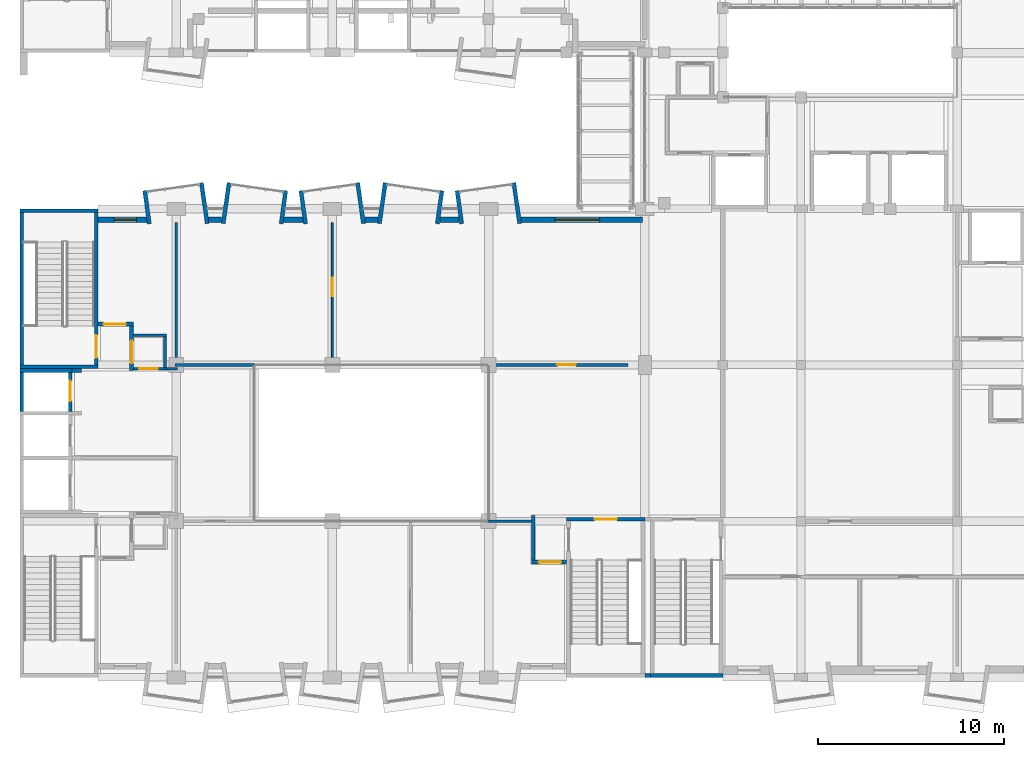
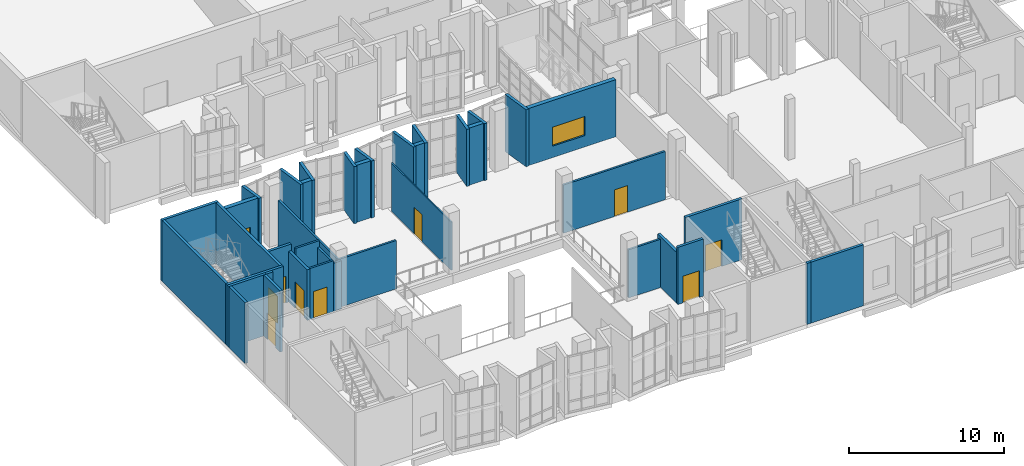
# One storey, part 42 of 86: 40 walls, 9 doors, 2 windows, 11 openings.
"""IFC4 building model written with IfcOpenShell, lengths in metres."""

import ifcopenshell
import ifcopenshell.guid

model = None  # the IFC model being written
_history = None  # IfcOwnerHistory: only IFC2X3 demands one
_inside = {}  # id of a spatial element -> (the spatial element, [elements in it])
_under = {}  # id of a project, library or spatial element -> (it, [spatial elements below it])
_declared = {}  # id of a project -> (the project, [libraries it declares])
_typed = {}  # id of a type object -> (the type object, [elements of that type])
_made_of = {}  # id of a material, layer set ... -> (it, [elements and type objects made of it])


def new_model(schema):
    """Start an empty IFC model of exactly this schema.

    Asked for "IFC4X3", IfcOpenShell would pick the latest addendum, in which some entities
    have other attributes; the version numbers below select the first issue.
    IFC2X3 requires an IfcOwnerHistory on every rooted entity: one is made here for all.
    """
    global model, _history
    if schema == "IFC4X3":
        model = ifcopenshell.file(schema_version=(4, 3, 0, 0))
    else:
        model = ifcopenshell.file(schema=schema)
    _inside.clear()
    _under.clear()
    _declared.clear()
    _typed.clear()
    _made_of.clear()
    _history = None
    if model.schema == "IFC2X3":
        org = make("IfcOrganization", Name="unknown")
        user = make(
            "IfcPersonAndOrganization",
            ThePerson=make("IfcPerson", FamilyName="unknown"),
            TheOrganization=org,
        )
        app = make(
            "IfcApplication",
            ApplicationDeveloper=org,
            Version="unknown",
            ApplicationFullName="unknown",
            ApplicationIdentifier="unknown",
        )
        _history = make(
            "IfcOwnerHistory",
            OwningUser=user,
            OwningApplication=app,
            ChangeAction="ADDED",
            CreationDate=0,
        )
    return model


def make(cls, **values):
    """One entity of the class cls with the attributes given. An attribute that is None is left unset."""
    return model.create_entity(
        cls, **{name: value for name, value in values.items() if value is not None}
    )


def rooted(cls, **values):
    """An entity with a GlobalId (a new one), such as an element, a storey or a relation."""
    return make(cls, GlobalId=ifcopenshell.guid.new(), OwnerHistory=_history, **values)


def si_unit(unit_type, name, prefix=None):
    """IfcSIUnit, for example si_unit("LENGTHUNIT", "METRE", prefix="MILLI")."""
    return make("IfcSIUnit", UnitType=unit_type, Prefix=prefix, Name=name)


def assignment(units):
    """IfcUnitAssignment: the units of a project."""
    return None if units is None else make("IfcUnitAssignment", Units=units)


def point(xyz):
    """IfcCartesianPoint."""
    return None if xyz is None else make("IfcCartesianPoint", Coordinates=xyz)


def direction(xyz):
    """IfcDirection."""
    return None if xyz is None else make("IfcDirection", DirectionRatios=xyz)


def frame(location, z_axis=None, x_axis=None):
    """IfcAxis2Placement3D, a coordinate frame: its origin and axes. An axis left out is left unset."""
    return make(
        "IfcAxis2Placement3D",
        Location=point(location),
        Axis=direction(z_axis),
        RefDirection=direction(x_axis),
    )


def frame_2d(location, x_axis=None):
    """IfcAxis2Placement2D, a coordinate frame in the plane: its origin and x axis."""
    return make(
        "IfcAxis2Placement2D", Location=point(location), RefDirection=direction(x_axis)
    )


def origin():
    """The frame at (0, 0, 0) with its axes left unset."""
    return frame((0.0, 0.0, 0.0))


def place(relative_to, where):
    """IfcLocalPlacement: puts the frame where relative to a parent placement (None: the world)."""
    return make(
        "IfcLocalPlacement", PlacementRelTo=relative_to, RelativePlacement=where
    )


def context(
    kind, dimensions, precision=None, world=None, true_north=None, identifier=None
):
    """IfcGeometricRepresentationContext, for example the 3D "Model" context."""
    return make(
        "IfcGeometricRepresentationContext",
        ContextIdentifier=identifier,
        ContextType=kind,
        CoordinateSpaceDimension=dimensions,
        Precision=precision,
        WorldCoordinateSystem=world,
        TrueNorth=true_north,
    )


def subcontext(parent, identifier, kind, view, scale=None):
    """IfcGeometricRepresentationSubContext, for example "Body" below "Model"."""
    return make(
        "IfcGeometricRepresentationSubContext",
        ContextIdentifier=identifier,
        ContextType=kind,
        ParentContext=parent,
        TargetScale=scale,
        TargetView=view,
    )


def project(units=None, contexts=None):
    """IfcProject with its units and contexts."""
    return rooted(
        "IfcProject",
        Name="project",
        RepresentationContexts=contexts,
        UnitsInContext=assignment(units),
    )


def spatial(cls, under=None, at=None, **own):
    """A site, building, storey or space (cls), placed at a placement, below another one or the project."""
    s = rooted(cls, ObjectPlacement=at, **own)
    if under is not None:
        _under.setdefault(under.id(), (under, []))[1].append(s)
    return s


def profile(cls, at=None, kind="AREA", **sizes):
    """A parametric profile (cls). Its sizes go by their IFC names, for example OverallWidth=200.0."""
    return make(cls, ProfileType=kind, Position=at, **sizes)


def rectangle(**sizes):
    """IfcRectangleProfileDef."""
    return profile("IfcRectangleProfileDef", **sizes)


def extrude(swept, where, along, depth):
    """IfcExtrudedAreaSolid: the profile swept, set in the frame where, extruded along a direction by depth."""
    return make(
        "IfcExtrudedAreaSolid",
        SweptArea=swept,
        Position=where,
        ExtrudedDirection=direction(along),
        Depth=depth,
    )


def shape(context_of_items, identifier, shape_type, items):
    """IfcShapeRepresentation: the items that make up one representation, for example the "Body"."""
    return make(
        "IfcShapeRepresentation",
        ContextOfItems=context_of_items,
        RepresentationIdentifier=identifier,
        RepresentationType=shape_type,
        Items=items,
    )


def material(Name=None, Category=None):
    """IfcMaterial."""
    return make("IfcMaterial", Name=Name, Category=Category)


def layer(
    of_material, thickness, ventilated=None, Name=None, Category=None, Priority=None
):
    """IfcMaterialLayer: one layer of a wall or slab, of a material (None: an air gap)."""
    return make(
        "IfcMaterialLayer",
        Material=of_material,
        LayerThickness=thickness,
        IsVentilated=ventilated,
        Name=Name,
        Category=Category,
        Priority=Priority,
    )


def layer_set(layers, Name=None):
    """IfcMaterialLayerSet."""
    return make("IfcMaterialLayerSet", MaterialLayers=layers, LayerSetName=Name)


def made_of(thing, what):
    """Note that an element or type object is made of a material, layer set ...; save() writes the relation."""
    if what is not None:
        _made_of.setdefault(what.id(), (what, []))[1].append(thing)
    return thing


def type_object(cls, material=None, **own):
    """A type object (cls), such as IfcWallType, which elements share."""
    return made_of(rooted(cls, **own), material)


def element(
    cls,
    number,
    at=None,
    inside=None,
    cuts=None,
    type_object=None,
    material=None,
    context=None,
    identifier="Body",
    shape_type=None,
    held_by="IfcProductDefinitionShape",
    body=None,
    shapes=None,
    **own,
):
    """One element of the class cls, such as IfcWall. Its Tag is "e" and its number.

    at: its placement. inside: the storey or other place that contains it. cuts: it is an
    opening in that element (IfcRelVoidsElement). A single representation is given by context,
    identifier, shape_type and body (its items); several are given by shapes. held_by: the class
    of the entity that holds the representations. save() writes the other relations.
    """
    e = rooted(cls, Tag="e%d" % number, ObjectPlacement=at, **own)
    if body is not None:
        shapes = [shape(context, identifier, shape_type, body)]
    if shapes is not None:
        e.Representation = make(held_by, Representations=shapes)
    if inside is not None:
        _inside.setdefault(inside.id(), (inside, []))[1].append(e)
    if cuts is not None:
        rooted(
            "IfcRelVoidsElement", RelatingBuildingElement=cuts, RelatedOpeningElement=e
        )
    if type_object is not None:
        _typed.setdefault(type_object.id(), (type_object, []))[1].append(e)
    return made_of(e, material)


def fill(opening, filler):
    """IfcRelFillsElement: the door or window that sits in an opening."""
    return rooted(
        "IfcRelFillsElement",
        RelatingOpeningElement=opening,
        RelatedBuildingElement=filler,
    )


def aggregate(whole, parts):
    """IfcRelAggregates: a whole, such as a stair, and the parts it consists of."""
    return rooted("IfcRelAggregates", RelatingObject=whole, RelatedObjects=parts)


def save(model, path):
    """Write the relations noted so far, then the file.

    IfcRelAggregates (storeys below a building ...), IfcRelContainedInSpatialStructure (elements
    in a storey), IfcRelDefinesByType, IfcRelAssociatesMaterial and IfcRelDeclares: one each for
    every whole, place, type object, material and project.
    """
    for whole, parts in _under.values():
        aggregate(whole, parts)
    for where, things in _inside.values():
        rooted(
            "IfcRelContainedInSpatialStructure",
            RelatedElements=things,
            RelatingStructure=where,
        )
    for kind, things in _typed.values():
        rooted("IfcRelDefinesByType", RelatedObjects=things, RelatingType=kind)
    for what, things in _made_of.values():
        rooted("IfcRelAssociatesMaterial", RelatedObjects=things, RelatingMaterial=what)
    for by, libraries in _declared.values():
        rooted("IfcRelDeclares", RelatingContext=by, RelatedDefinitions=libraries)
    model.write(path)


model = new_model("IFC4")

# Units and contexts
model_context = context("Model", 3, precision=1e-05, world=origin(), true_north=direction((0.0, 1.0)))
body_context = subcontext(model_context, "Body", "Model", "MODEL_VIEW")
ifc_project = project(units=[si_unit("LENGTHUNIT", "METRE"), si_unit("AREAUNIT", "SQUARE_METRE"), si_unit("VOLUMEUNIT", "CUBIC_METRE"), si_unit("PLANEANGLEUNIT", "RADIAN"), si_unit("MASSUNIT", "GRAM", prefix="KILO")], contexts=[model_context])

# Site, building, storey
site_placement = place(None, origin())
site = spatial("IfcSite", under=ifc_project, at=site_placement, CompositionType="ELEMENT")
building_placement = place(site_placement, origin())
building = spatial("IfcBuilding", under=site, at=building_placement, Name="Kiln Court Media Centre", CompositionType="ELEMENT")
storey_placement = place(building_placement, frame((0.0, 0.0, 10.199951171875)))
storey = spatial("IfcBuildingStorey", under=building, at=storey_placement, Name="L02", CompositionType="ELEMENT", Elevation=10.199951171875)

# Walls
ifc_material_1 = material(Name="Concrete block masonry M10", Category="masonry")
ifc_layer_1 = layer(ifc_material_1, 0.14990234375)
ifc_layer_set_1 = layer_set([ifc_layer_1], Name="Block riser wall 150 EI 120")
wall_type_1 = type_object("IfcWallType", Name="Block riser wall 150 EI 120", PredefinedType="SOLIDWALL", material=ifc_layer_set_1)
wall_1_placement = place(storey_placement, frame((7.875, 16.60009765625, 0.0), z_axis=(0.0, 0.0, 1.0), x_axis=(1.0, 0.0, 0.0)))
element("IfcWall", 1, at=wall_1_placement, inside=storey, type_object=wall_type_1, Name="L02 block riser wall", PredefinedType="SOLIDWALL", context=body_context, shape_type="SweptSolid", body=[
    extrude(rectangle(XDim=0.60009765625, YDim=0.14990234375, at=frame_2d((0.300048828125, 0.0))), origin(), (0.0, 0.0, 1.0), 3.800048828125),
])
wall_2_placement = place(storey_placement, frame((6.10009765625, 18.39990234375, 0.0), z_axis=(0.0, 0.0, 1.0), x_axis=(1.0, 0.0, 0.0)))
element("IfcWall", 2, at=wall_2_placement, inside=storey, type_object=wall_type_1, Name="L02 block riser wall", PredefinedType="SOLIDWALL", context=body_context, shape_type="SweptSolid", body=[
    extrude(rectangle(XDim=1.77490234375, YDim=0.14990234375, at=frame_2d((0.887451171875, 0.0))), origin(), (0.0, 0.0, 1.0), 4.5),
])
wall_3_placement = place(storey_placement, frame((7.800048828125, 16.675048828125, 0.0), z_axis=(0.0, 0.0, 1.0), x_axis=(0.0, 1.0, 0.0)))
element("IfcWall", 3, at=wall_3_placement, inside=storey, type_object=wall_type_1, Name="L02 block riser wall", PredefinedType="SOLIDWALL", context=body_context, shape_type="SweptSolid", body=[
    extrude(rectangle(XDim=1.64990234375, YDim=0.14990234375, at=frame_2d((0.824951171875, 0.0))), origin(), (0.0, 0.0, 1.0), 4.0),
])
wall_4_placement = place(storey_placement, frame((8.39990234375, 16.875, 0.0), z_axis=(0.0, 0.0, 1.0), x_axis=(0.0, 1.0, 0.0)))
element("IfcWall", 4, at=wall_4_placement, inside=storey, type_object=wall_type_1, Name="L02 block riser wall", PredefinedType="SOLIDWALL", context=body_context, shape_type="SweptSolid", body=[
    extrude(rectangle(XDim=7.574951171875, YDim=0.14990234375, at=frame_2d((3.78759765625, 0.0))), origin(), (0.0, 0.0, 1.0), 3.800048828125),
])

# Wall, opening, door
ifc_material_2 = material(Name="Concrete block masonry M10", Category="masonry")
ifc_layer_2 = layer(ifc_material_2, 0.199951171875)
ifc_layer_set_2 = layer_set([ifc_layer_2], Name="Block vestibule wall 200 EI 240")
wall_type_2 = type_object("IfcWallType", Name="Block vestibule wall 200 EI 240", PredefinedType="SOLIDWALL", material=ifc_layer_set_2)
wall_5_placement = place(storey_placement, frame((27.5, 6.199951171875, 0.0), z_axis=(0.0, 0.0, 1.0), x_axis=(1.0, 0.0, 0.0)))
wall_5 = element("IfcWall", 5, at=wall_5_placement, inside=storey, type_object=wall_type_2, Name="L02 block vestibule wall", PredefinedType="SOLIDWALL", context=body_context, shape_type="SweptSolid", body=[
    extrude(rectangle(XDim=1.89990234375, YDim=0.199951171875, at=frame_2d((0.949951171875, 0.0))), origin(), (0.0, 0.0, 1.0), 4.5),
])
opening_1_placement = place(wall_5_placement, frame((0.39990234375, 0.0, 0.0)))
opening_1 = element("IfcOpeningElement", 6, at=opening_1_placement, cuts=wall_5, Name="Opening D2041", PredefinedType="OPENING", context=body_context, shape_type="SweptSolid", body=[
    extrude(rectangle(XDim=1.199951171875, YDim=2.10009765625, at=frame_2d((0.60009765625, 1.050048828125))), frame((0.0, 0.10986328125, 0.0), z_axis=(0.0, -1.0, 0.0), x_axis=(1.0, 0.0, 0.0)), (0.0, 0.0, 1.0), 0.219970703125),
])
ifc_material_3 = material(Name="Steel S275", Category="steel")
door_type_1 = type_object("IfcDoorType", Name="Steel vestibule door 1200 x 2100 FD180", OperationType="SINGLE_SWING_LEFT", PredefinedType="DOOR", material=ifc_material_3)
door_1_placement = place(opening_1_placement, origin())
door_1 = element("IfcDoor", 7, at=door_1_placement, inside=storey, type_object=door_type_1, Name="Reading Room 2 / Stair 3 Vestibule", OperationType="SINGLE_SWING_RIGHT", OverallHeight=2.10009765625, OverallWidth=1.199951171875, PredefinedType="DOOR", context=body_context, shape_type="SweptSolid", body=[
    extrude(rectangle(XDim=1.199951171875, YDim=2.10009765625, at=frame_2d((0.60009765625, 1.050048828125))), frame((0.0, 0.02490234375, 0.0), z_axis=(0.0, -1.0, 0.0), x_axis=(1.0, 0.0, 0.0)), (0.0, 0.0, 1.0), 0.050048828125),
])
fill(opening_1, door_1)

wall_6_placement = place(storey_placement, frame((4.2001953125, 19.0, 0.0), z_axis=(0.0, 0.0, 1.0), x_axis=(1.0, 0.0, 0.0)))
wall_6 = element("IfcWall", 8, at=wall_6_placement, inside=storey, type_object=wall_type_2, Name="L02 block vestibule wall", PredefinedType="SOLIDWALL", context=body_context, shape_type="SweptSolid", body=[
    extrude(rectangle(XDim=1.89990234375, YDim=0.199951171875, at=frame_2d((0.949951171875, 0.0))), origin(), (0.0, 0.0, 1.0), 4.5),
])
opening_2_placement = place(wall_6_placement, frame((0.2998046875, 0.0, 0.0)))
opening_2 = element("IfcOpeningElement", 9, at=opening_2_placement, cuts=wall_6, Name="Opening D2045", PredefinedType="OPENING", context=body_context, shape_type="SweptSolid", body=[
    extrude(rectangle(XDim=1.199951171875, YDim=2.10009765625, at=frame_2d((0.60009765625, 1.050048828125))), frame((0.0, 0.10986328125, 0.0), z_axis=(0.0, -1.0, 0.0), x_axis=(1.0, 0.0, 0.0)), (0.0, 0.0, 1.0), 0.219970703125),
])
door_2_placement = place(opening_2_placement, origin())
door_2 = element("IfcDoor", 10, at=door_2_placement, inside=storey, type_object=door_type_1, Name="Cleaners' Store and Riser / Stair 2 Vestibule", OperationType="SINGLE_SWING_LEFT", OverallHeight=2.10009765625, OverallWidth=1.199951171875, PredefinedType="DOOR", context=body_context, shape_type="SweptSolid", body=[
    extrude(rectangle(XDim=1.199951171875, YDim=2.10009765625, at=frame_2d((0.60009765625, 1.050048828125))), frame((0.0, 0.02490234375, 0.0), z_axis=(0.0, -1.0, 0.0), x_axis=(1.0, 0.0, 0.0)), (0.0, 0.0, 1.0), 0.050048828125),
])
fill(opening_2, door_2)

wall_7_placement = place(storey_placement, frame((6.0, 16.5, 0.0), z_axis=(0.0, 0.0, 1.0), x_axis=(0.0, 1.0, 0.0)))
wall_7 = element("IfcWall", 11, at=wall_7_placement, inside=storey, type_object=wall_type_2, Name="L02 block vestibule wall", PredefinedType="SOLIDWALL", context=body_context, shape_type="SweptSolid", body=[
    extrude(rectangle(XDim=2.39990234375, YDim=0.199951171875, at=frame_2d((1.199951171875, 0.0))), origin(), (0.0, 0.0, 1.0), 4.0),
])
opening_3_placement = place(wall_7_placement, frame((0.39990234375, 0.0, 0.0)))
opening_3 = element("IfcOpeningElement", 12, at=opening_3_placement, cuts=wall_7, Name="Opening D2046", PredefinedType="OPENING", context=body_context, shape_type="SweptSolid", body=[
    extrude(rectangle(XDim=1.199951171875, YDim=2.10009765625, at=frame_2d((0.60009765625, 1.050048828125))), frame((0.0, 0.10986328125, 0.0), z_axis=(0.0, -1.0, 0.0), x_axis=(1.0, 0.0, 0.0)), (0.0, 0.0, 1.0), 0.219970703125),
])
door_3_placement = place(opening_3_placement, origin())
door_3 = element("IfcDoor", 13, at=door_3_placement, inside=storey, type_object=door_type_1, Name="Stair 2 Vestibule / Wheelchair Refuge", OperationType="SINGLE_SWING_RIGHT", OverallHeight=2.10009765625, OverallWidth=1.199951171875, PredefinedType="DOOR", context=body_context, shape_type="SweptSolid", body=[
    extrude(rectangle(XDim=1.199951171875, YDim=2.10009765625, at=frame_2d((0.60009765625, 1.050048828125))), frame((0.0, 0.02490234375, 0.0), z_axis=(0.0, -1.0, 0.0), x_axis=(1.0, 0.0, 0.0)), (0.0, 0.0, 1.0), 0.050048828125),
])
fill(opening_3, door_3)

# Walls
wall_8_placement = place(storey_placement, frame((27.60009765625, 6.300048828125, 0.0), z_axis=(0.0, 0.0, 1.0), x_axis=(0.0, 1.0, 0.0)))
element("IfcWall", 14, at=wall_8_placement, inside=storey, type_object=wall_type_2, Name="L02 block vestibule wall", PredefinedType="SOLIDWALL", context=body_context, shape_type="SweptSolid", body=[
    extrude(rectangle(XDim=2.39990234375, YDim=0.199951171875, at=frame_2d((1.199951171875, 0.0))), origin(), (0.0, 0.0, 1.0), 4.0),
])
ifc_material_4 = material(Name="Brick masonry facing leaf with RC backing", Category="masonry")
ifc_layer_3 = layer(ifc_material_4, 0.215087890625)
ifc_layer_set_3 = layer_set([ifc_layer_3], Name="Brick masonry bay cheek wall 215")
wall_type_3 = type_object("IfcWallType", Name="Brick masonry bay cheek wall 215", PredefinedType="SOLIDWALL", material=ifc_layer_set_3)
wall_9_placement = place(storey_placement, frame((6.9560546875, 24.39111328125, 0.0), z_axis=(0.0, 0.0, 1.0), x_axis=(-0.139161311926, 0.990269725511, 0.0)))
element("IfcWall", 15, at=wall_9_placement, inside=storey, type_object=wall_type_3, Name="BAY V6A-N-L02-10 cheek L", PredefinedType="SOLIDWALL", context=body_context, shape_type="SweptSolid", body=[
    extrude(rectangle(XDim=1.800048828125, YDim=0.215087890625, at=frame_2d((0.89990234375, 0.0))), origin(), (0.0, 0.0, 1.0), 4.5),
])
for number, where, z_axis, x_axis, name in (
    (16, (10.0693359375, 24.405029296875, 0.0), (0.0, 0.0, 1.0), (-0.139141913905, 0.990272451295, 0.0), "BAY V6A-N-L02-10 cheek R"),
    (17, (10.9306640625, 24.405029296875, 0.0), (0.0, 0.0, 1.0), (0.139141913905, 0.990272451295, 0.0), "BAY V6A-N-L02-11 cheek L"),
):
    element("IfcWall", number, at=place(storey_placement, frame(where, z_axis=z_axis, x_axis=x_axis)), inside=storey, type_object=wall_type_3, Name=name, PredefinedType="SOLIDWALL", context=body_context, shape_type="SweptSolid", body=[
        extrude(rectangle(XDim=2.219482421875, YDim=0.215087890625, at=frame_2d((1.10986328125, 0.0))), origin(), (0.0, 0.0, 1.0), 4.5),
    ])
for number, where, z_axis, x_axis, name in (
    (18, (14.0439453125, 24.39111328125, 0.0), (0.0, 0.0, 1.0), (0.139161311926, 0.990269725511, 0.0), "BAY V6A-N-L02-11 cheek R"),
    (19, (15.35595703125, 24.39111328125, 0.0), (0.0, 0.0, 1.0), (-0.139161311926, 0.990269725511, 0.0), "BAY V6A-N-L02-12 cheek L"),
):
    element("IfcWall", number, at=place(storey_placement, frame(where, z_axis=z_axis, x_axis=x_axis)), inside=storey, type_object=wall_type_3, Name=name, PredefinedType="SOLIDWALL", context=body_context, shape_type="SweptSolid", body=[
        extrude(rectangle(XDim=1.800048828125, YDim=0.215087890625, at=frame_2d((0.89990234375, 0.0))), origin(), (0.0, 0.0, 1.0), 4.5),
    ])
wall_10_placement = place(storey_placement, frame((18.469482421875, 24.405029296875, 0.0), z_axis=(0.0, 0.0, 1.0), x_axis=(-0.139249775508, 0.99025728981, 0.0)))
element("IfcWall", 20, at=wall_10_placement, inside=storey, type_object=wall_type_3, Name="BAY V6A-N-L02-12 cheek R", PredefinedType="SOLIDWALL", context=body_context, shape_type="SweptSolid", body=[
    extrude(rectangle(XDim=2.2197265625, YDim=0.215087890625, at=frame_2d((1.10986328125, 0.0))), origin(), (0.0, 0.0, 1.0), 4.5),
])
wall_11_placement = place(storey_placement, frame((19.33056640625, 24.405029296875, 0.0), z_axis=(0.0, 0.0, 1.0), x_axis=(0.139141913905, 0.990272451295, 0.0)))
element("IfcWall", 21, at=wall_11_placement, inside=storey, type_object=wall_type_3, Name="BAY V6A-N-L02-13 cheek L", PredefinedType="SOLIDWALL", context=body_context, shape_type="SweptSolid", body=[
    extrude(rectangle(XDim=2.219482421875, YDim=0.215087890625, at=frame_2d((1.10986328125, 0.0))), origin(), (0.0, 0.0, 1.0), 4.5),
])
for number, where, z_axis, x_axis, name in (
    (22, (22.444091796875, 24.39111328125, 0.0), (0.0, 0.0, 1.0), (0.139161311926, 0.990269725511, 0.0), "BAY V6A-N-L02-13 cheek R"),
    (23, (23.756103515625, 24.39111328125, 0.0), (0.0, 0.0, 1.0), (-0.139161311926, 0.990269725511, 0.0), "BAY V6A-N-L02-14 cheek L"),
):
    element("IfcWall", number, at=place(storey_placement, frame(where, z_axis=z_axis, x_axis=x_axis)), inside=storey, type_object=wall_type_3, Name=name, PredefinedType="SOLIDWALL", context=body_context, shape_type="SweptSolid", body=[
        extrude(rectangle(XDim=1.800048828125, YDim=0.215087890625, at=frame_2d((0.89990234375, 0.0))), origin(), (0.0, 0.0, 1.0), 4.5),
    ])
wall_12_placement = place(storey_placement, frame((26.869384765625, 24.405029296875, 0.0), z_axis=(0.0, 0.0, 1.0), x_axis=(-0.139141913905, 0.990272451295, 0.0)))
element("IfcWall", 24, at=wall_12_placement, inside=storey, type_object=wall_type_3, Name="BAY V6A-N-L02-14 cheek R", PredefinedType="SOLIDWALL", context=body_context, shape_type="SweptSolid", body=[
    extrude(rectangle(XDim=2.219482421875, YDim=0.215087890625, at=frame_2d((1.10986328125, 0.0))), origin(), (0.0, 0.0, 1.0), 4.5),
])

# Wall, opening, window
ifc_material_5 = material(Name="Brick masonry facing leaf with RC backing", Category="masonry")
ifc_layer_4 = layer(ifc_material_5, 0.300048828125)
ifc_layer_set_4 = layer_set([ifc_layer_4], Name="Brick masonry cavity wall 300")
wall_type_4 = type_object("IfcWallType", Name="Brick masonry cavity wall 300", PredefinedType="SOLIDWALL", material=ifc_layer_set_4)
wall_13_placement = place(storey_placement, frame((4.2001953125, 24.60009765625, 0.0), z_axis=(0.0, 0.0, 1.0), x_axis=(1.0, 0.0, 0.0)))
wall_13 = element("IfcWall", 25, at=wall_13_placement, inside=storey, type_object=wall_type_4, Name="V6A-N facade L02 3014", PredefinedType="SOLIDWALL", context=body_context, shape_type="SweptSolid", body=[
    extrude(rectangle(XDim=2.617919921875, YDim=0.300048828125, at=frame_2d((1.30908203125, 0.0))), origin(), (0.0, 0.0, 1.0), 4.5),
])
opening_4_placement = place(wall_13_placement, frame((0.85888671875, 0.0, 0.89990234375)))
opening_4 = element("IfcOpeningElement", 26, at=opening_4_placement, cuts=wall_13, Name="Opening WN2001", PredefinedType="OPENING", context=body_context, shape_type="SweptSolid", body=[
    extrude(rectangle(XDim=1.199951171875, YDim=1.5, at=frame_2d((0.60009765625, 0.75))), frame((0.0, 0.159912109375, 0.0), z_axis=(0.0, -1.0, 0.0), x_axis=(1.0, 0.0, 0.0)), (0.0, 0.0, 1.0), 0.320068359375),
])
ifc_material_6 = material(Name="Aluminium 6063-T6", Category="aluminium")
window_type_1 = type_object("IfcWindowType", Name="Aluminium window 1200x1500", PartitioningType="DOUBLE_PANEL_VERTICAL", PredefinedType="WINDOW", material=ifc_material_6)
window_1_placement = place(opening_4_placement, origin())
window_1 = element("IfcWindow", 27, at=window_1_placement, inside=storey, type_object=window_type_1, Name="WB window WN2001", OverallHeight=1.5, OverallWidth=1.199951171875, PartitioningType="SINGLE_PANEL", PredefinedType="WINDOW", context=body_context, shape_type="SweptSolid", body=[
    extrude(rectangle(XDim=1.199951171875, YDim=1.5, at=frame_2d((0.60009765625, 0.75))), frame((0.0, 0.030029296875, 0.0), z_axis=(0.0, -1.0, 0.0), x_axis=(1.0, 0.0, 0.0)), (0.0, 0.0, 1.0), 0.06005859375),
])
fill(opening_4, window_1)

# Walls
wall_14_placement = place(storey_placement, frame((10.150390625, 24.60009765625, 0.0), z_axis=(0.0, 0.0, 1.0), x_axis=(1.0, 0.0, 0.0)))
element("IfcWall", 28, at=wall_14_placement, inside=storey, type_object=wall_type_4, Name="V6A-N facade L02 3015", PredefinedType="SOLIDWALL", context=body_context, shape_type="SweptSolid", body=[
    extrude(rectangle(XDim=0.69921875, YDim=0.300048828125, at=frame_2d((0.349609375, 0.0))), origin(), (0.0, 0.0, 1.0), 4.5),
])
wall_15_placement = place(storey_placement, frame((14.181884765625, 24.60009765625, 0.0), z_axis=(0.0, 0.0, 1.0), x_axis=(1.0, 0.0, 0.0)))
element("IfcWall", 29, at=wall_15_placement, inside=storey, type_object=wall_type_4, Name="V6A-N facade L02 3016", PredefinedType="SOLIDWALL", context=body_context, shape_type="SweptSolid", body=[
    extrude(rectangle(XDim=1.0361328125, YDim=0.300048828125, at=frame_2d((0.51806640625, 0.0))), origin(), (0.0, 0.0, 1.0), 4.5),
])
wall_16_placement = place(storey_placement, frame((18.550537109375, 24.60009765625, 0.0), z_axis=(0.0, 0.0, 1.0), x_axis=(1.0, 0.0, 0.0)))
element("IfcWall", 30, at=wall_16_placement, inside=storey, type_object=wall_type_4, Name="V6A-N facade L02 3017", PredefinedType="SOLIDWALL", context=body_context, shape_type="SweptSolid", body=[
    extrude(rectangle(XDim=0.698974609375, YDim=0.300048828125, at=frame_2d((0.349609375, 0.0))), origin(), (0.0, 0.0, 1.0), 4.5),
])
wall_17_placement = place(storey_placement, frame((22.581787109375, 24.60009765625, 0.0), z_axis=(0.0, 0.0, 1.0), x_axis=(1.0, 0.0, 0.0)))
element("IfcWall", 31, at=wall_17_placement, inside=storey, type_object=wall_type_4, Name="V6A-N facade L02 3018", PredefinedType="SOLIDWALL", context=body_context, shape_type="SweptSolid", body=[
    extrude(rectangle(XDim=1.036376953125, YDim=0.300048828125, at=frame_2d((0.51806640625, 0.0))), origin(), (0.0, 0.0, 1.0), 4.5),
])

# Wall, opening, window
wall_18_placement = place(storey_placement, frame((26.950439453125, 24.60009765625, 0.0), z_axis=(0.0, 0.0, 1.0), x_axis=(1.0, 0.0, 0.0)))
wall_18 = element("IfcWall", 32, at=wall_18_placement, inside=storey, type_object=wall_type_4, Name="V6A-N facade L02 3019", PredefinedType="SOLIDWALL", context=body_context, shape_type="SweptSolid", body=[
    extrude(rectangle(XDim=6.524658203125, YDim=0.300048828125, at=frame_2d((3.26220703125, 0.0))), origin(), (0.0, 0.0, 1.0), 4.5),
])
opening_5_placement = place(wall_18_placement, frame((1.82470703125, 0.0, 0.89990234375)))
opening_5 = element("IfcOpeningElement", 33, at=opening_5_placement, cuts=wall_18, Name="Opening WN2002", PredefinedType="OPENING", context=body_context, shape_type="SweptSolid", body=[
    extrude(rectangle(XDim=2.39990234375, YDim=1.5, at=frame_2d((1.199951171875, 0.75))), frame((0.0, 0.159912109375, 0.0), z_axis=(0.0, -1.0, 0.0), x_axis=(1.0, 0.0, 0.0)), (0.0, 0.0, 1.0), 0.320068359375),
])
ifc_material_7 = material(Name="Aluminium 6063-T6", Category="aluminium")
window_type_2 = type_object("IfcWindowType", Name="Aluminium window 2400x1500", PartitioningType="TRIPLE_PANEL_VERTICAL", PredefinedType="WINDOW", material=ifc_material_7)
window_2_placement = place(opening_5_placement, origin())
window_2 = element("IfcWindow", 34, at=window_2_placement, inside=storey, type_object=window_type_2, Name="WC window WN2002", OverallHeight=1.5, OverallWidth=2.39990234375, PartitioningType="SINGLE_PANEL", PredefinedType="WINDOW", context=body_context, shape_type="SweptSolid", body=[
    extrude(rectangle(XDim=2.39990234375, YDim=1.5, at=frame_2d((1.199951171875, 0.75))), frame((0.0, 0.030029296875, 0.0), z_axis=(0.0, -1.0, 0.0), x_axis=(1.0, 0.0, 0.0)), (0.0, 0.0, 1.0), 0.06005859375),
])
fill(opening_5, window_2)

# Walls
ifc_material_8 = material(Name="Concrete C40/50", Category="concrete")
ifc_layer_5 = layer(ifc_material_8, 0.199951171875)
ifc_layer_set_5 = layer_set([ifc_layer_5], Name="Concrete C40/50 shear wall 200")
wall_type_5 = type_object("IfcWallType", Name="Concrete C40/50 shear wall 200", PredefinedType="SHEAR", material=ifc_layer_set_5)
for number, where, z_axis, x_axis, name in (
    (35, (4.199951171875, 16.699951171875, 0.0), (0.0, 0.0, 1.0), (-1.0, 0.0, 0.0), "L02-W-1004"),
    (36, (0.00048828125, 25.10009765625, 0.0), (0.0, 0.0, 1.0), (1.0, 0.0, 0.0), "L02-W-1005"),
):
    element("IfcWall", number, at=place(storey_placement, frame(where, z_axis=z_axis, x_axis=x_axis)), inside=storey, type_object=wall_type_5, Name=name, PredefinedType="SHEAR", context=body_context, shape_type="SweptSolid", body=[
        extrude(rectangle(XDim=4.199462890625, YDim=0.199951171875, at=frame_2d((2.099609375, 0.0))), origin(), (0.0, 0.0, 1.0), 4.800048828125),
    ])
wall_19_placement = place(storey_placement, frame((0.100341796875, 16.800048828125, 0.0), z_axis=(0.0, 0.0, 1.0), x_axis=(0.0, 1.0, 0.0)))
element("IfcWall", 37, at=wall_19_placement, inside=storey, type_object=wall_type_5, Name="L02-W-1006", PredefinedType="SHEAR", context=body_context, shape_type="SweptSolid", body=[
    extrude(rectangle(XDim=8.199951171875, YDim=0.199951171875, at=frame_2d((4.10009765625, 0.0))), origin(), (0.0, 0.0, 1.0), 4.800048828125),
])

# Wall, opening, door
wall_20_placement = place(storey_placement, frame((4.10009765625, 25.0, 0.0), z_axis=(0.0, 0.0, 1.0), x_axis=(0.0, -1.0, 0.0)))
wall_20 = element("IfcWall", 38, at=wall_20_placement, inside=storey, type_object=wall_type_5, Name="L02-W-1007", PredefinedType="SHEAR", context=body_context, shape_type="SweptSolid", body=[
    extrude(rectangle(XDim=8.199951171875, YDim=0.199951171875, at=frame_2d((4.10009765625, 0.0))), origin(), (0.0, 0.0, 1.0), 4.800048828125),
])
opening_6_placement = place(wall_20_placement, frame((6.60009765625, 0.0, 0.0)))
opening_6 = element("IfcOpeningElement", 39, at=opening_6_placement, cuts=wall_20, Name="Opening D2016", PredefinedType="OPENING", context=body_context, shape_type="SweptSolid", body=[
    extrude(rectangle(XDim=1.199951171875, YDim=2.10009765625, at=frame_2d((0.60009765625, 1.050048828125))), frame((0.0, 0.10986328125, 0.0), z_axis=(0.0, -1.0, 0.0), x_axis=(1.0, 0.0, 0.0)), (0.0, 0.0, 1.0), 0.219970703125),
])
ifc_material_9 = material(Name="Steel S275", Category="steel")
door_type_2 = type_object("IfcDoorType", Name="Steel stair door 1200 x 2100 FD180", OperationType="SINGLE_SWING_LEFT", PredefinedType="DOOR", material=ifc_material_9)
door_4_placement = place(opening_6_placement, origin())
door_4 = element("IfcDoor", 40, at=door_4_placement, inside=storey, type_object=door_type_2, Name="Stair 2 / Stair 2 Vestibule", OperationType="SINGLE_SWING_RIGHT", OverallHeight=2.10009765625, OverallWidth=1.199951171875, PredefinedType="DOOR", context=body_context, shape_type="SweptSolid", body=[
    extrude(rectangle(XDim=1.199951171875, YDim=2.10009765625, at=frame_2d((0.60009765625, 1.050048828125))), frame((0.0, 0.02490234375, 0.0), z_axis=(0.0, -1.0, 0.0), x_axis=(1.0, 0.0, 0.0)), (0.0, 0.0, 1.0), 0.050048828125),
])
fill(opening_6, door_4)

wall_21_placement = place(storey_placement, frame((29.39990234375, 8.5, 0.0), z_axis=(0.0, 0.0, 1.0), x_axis=(1.0, 0.0, 0.0)))
wall_21 = element("IfcWall", 41, at=wall_21_placement, inside=storey, type_object=wall_type_5, Name="L02-W-1009", PredefinedType="SHEAR", context=body_context, shape_type="SweptSolid", body=[
    extrude(rectangle(XDim=4.2001953125, YDim=0.199951171875, at=frame_2d((2.10009765625, 0.0))), origin(), (0.0, 0.0, 1.0), 4.800048828125),
])
opening_7_placement = place(wall_21_placement, frame((1.5, 0.0, 0.0)))
opening_7 = element("IfcOpeningElement", 42, at=opening_7_placement, cuts=wall_21, Name="Opening D2015", PredefinedType="OPENING", context=body_context, shape_type="SweptSolid", body=[
    extrude(rectangle(XDim=1.199951171875, YDim=2.10009765625, at=frame_2d((0.60009765625, 1.050048828125))), frame((0.0, 0.10986328125, 0.0), z_axis=(0.0, -1.0, 0.0), x_axis=(1.0, 0.0, 0.0)), (0.0, 0.0, 1.0), 0.219970703125),
])
door_5_placement = place(opening_7_placement, origin())
door_5 = element("IfcDoor", 43, at=door_5_placement, inside=storey, type_object=door_type_2, Name="Stair 3 / East Lobby", OperationType="SINGLE_SWING_RIGHT", OverallHeight=2.10009765625, OverallWidth=1.199951171875, PredefinedType="DOOR", context=body_context, shape_type="SweptSolid", body=[
    extrude(rectangle(XDim=1.199951171875, YDim=2.10009765625, at=frame_2d((0.60009765625, 1.050048828125))), frame((0.0, 0.02490234375, 0.0), z_axis=(0.0, -1.0, 0.0), x_axis=(1.0, 0.0, 0.0)), (0.0, 0.0, 1.0), 0.050048828125),
])
fill(opening_7, door_5)

# Walls
wall_22_placement = place(storey_placement, frame((37.800048828125, 0.10009765625, 0.0), z_axis=(0.0, 0.0, 1.0), x_axis=(-1.0, 0.0, 0.0)))
element("IfcWall", 44, at=wall_22_placement, inside=storey, type_object=wall_type_5, Name="L02-W-1012", PredefinedType="SHEAR", context=body_context, shape_type="SweptSolid", body=[
    extrude(rectangle(XDim=3.900146484375, YDim=0.199951171875, at=frame_2d((1.9501953125, 0.0))), origin(), (0.0, 0.0, 1.0), 4.800048828125),
])
wall_23_placement = place(storey_placement, frame((0.00048828125, 16.5, 0.0), z_axis=(0.0, 0.0, 1.0), x_axis=(1.0, 0.0, 0.0)))
element("IfcWall", 45, at=wall_23_placement, inside=storey, type_object=wall_type_5, Name="L02-W-1075", PredefinedType="SHEAR", context=body_context, shape_type="SweptSolid", body=[
    extrude(rectangle(XDim=2.799560546875, YDim=0.199951171875, at=frame_2d((1.39990234375, 0.0))), origin(), (0.0, 0.0, 1.0), 4.800048828125),
])
wall_24_placement = place(storey_placement, frame((0.100341796875, 14.300048828125, 0.0), z_axis=(0.0, 0.0, 1.0), x_axis=(0.0, 1.0, 0.0)))
element("IfcWall", 46, at=wall_24_placement, inside=storey, type_object=wall_type_5, Name="L02-W-1076", PredefinedType="SHEAR", context=body_context, shape_type="SweptSolid", body=[
    extrude(rectangle(XDim=2.099853515625, YDim=0.199951171875, at=frame_2d((1.0498046875, 0.0))), origin(), (0.0, 0.0, 1.0), 4.800048828125),
])

# Wall, opening, door
wall_25_placement = place(storey_placement, frame((2.699951171875, 16.39990234375, 0.0), z_axis=(0.0, 0.0, 1.0), x_axis=(0.0, -1.0, 0.0)))
wall_25 = element("IfcWall", 47, at=wall_25_placement, inside=storey, type_object=wall_type_5, Name="L02-W-1077", PredefinedType="SHEAR", context=body_context, shape_type="SweptSolid", body=[
    extrude(rectangle(XDim=2.099853515625, YDim=0.199951171875, at=frame_2d((1.0498046875, 0.0))), origin(), (0.0, 0.0, 1.0), 4.800048828125),
])
opening_8_placement = place(wall_25_placement, frame((0.449951171875, 0.0, 0.0)))
opening_8 = element("IfcOpeningElement", 48, at=opening_8_placement, cuts=wall_25, Name="Opening LD203", PredefinedType="OPENING", context=body_context, shape_type="SweptSolid", body=[
    extrude(rectangle(XDim=1.10009765625, YDim=2.10009765625, at=frame_2d((0.550048828125, 1.050048828125))), frame((0.0, 0.10986328125, 0.0), z_axis=(0.0, -1.0, 0.0), x_axis=(1.0, 0.0, 0.0)), (0.0, 0.0, 1.0), 0.219970703125),
])
ifc_material_10 = material(Name="Stainless steel", Category="steel")
door_type_3 = type_object("IfcDoorType", Name="Lift landing door 1100 x 2100 FD120", OperationType="SLIDING_TO_LEFT", PredefinedType="DOOR", material=ifc_material_10)
door_6_placement = place(opening_8_placement, origin())
door_6 = element("IfcDoor", 49, at=door_6_placement, inside=storey, type_object=door_type_3, Name="LF-03 landing door L02", OperationType="SLIDING_TO_LEFT", OverallHeight=2.10009765625, OverallWidth=1.10009765625, PredefinedType="DOOR", context=body_context, shape_type="SweptSolid", body=[
    extrude(rectangle(XDim=1.10009765625, YDim=2.10009765625, at=frame_2d((0.550048828125, 1.050048828125))), frame((0.0, 0.02490234375, 0.0), z_axis=(0.0, -1.0, 0.0), x_axis=(1.0, 0.0, 0.0)), (0.0, 0.0, 1.0), 0.050048828125),
])
fill(opening_8, door_6)

# Walls
wall_26_placement = place(storey_placement, frame((33.89990234375, 0.10009765625, 0.0), z_axis=(0.0, 0.0, 1.0), x_axis=(-1.0, 0.0, 0.0)))
element("IfcWall", 50, at=wall_26_placement, inside=storey, type_object=wall_type_5, Name="L02-W-1144", PredefinedType="SHEAR", context=body_context, shape_type="SweptSolid", body=[
    extrude(rectangle(XDim=0.2998046875, YDim=0.199951171875, at=frame_2d((0.14990234375, 0.0))), origin(), (0.0, 0.0, 1.0), 4.800048828125),
])
wall_27_placement = place(storey_placement, frame((2.800048828125, 16.5, 0.0), z_axis=(0.0, 0.0, 1.0), x_axis=(1.0, 0.0, 0.0)))
element("IfcWall", 51, at=wall_27_placement, inside=storey, type_object=wall_type_5, Name="L02-W-1150", PredefinedType="SHEAR", context=body_context, shape_type="SweptSolid", body=[
    extrude(rectangle(XDim=0.5, YDim=0.199951171875, at=frame_2d((0.25, 0.0))), origin(), (0.0, 0.0, 1.0), 4.800048828125),
])
ifc_material_11 = material(Name="Gypsum plasterboard", Category="gypsum")
ifc_layer_6 = layer(ifc_material_11, 0.14990234375)
ifc_layer_set_6 = layer_set([ifc_layer_6], Name="Gypsum corridor partition 150 EI 60")
wall_type_6 = type_object("IfcWallType", Name="Gypsum corridor partition 150 EI 60", PredefinedType="PARTITIONING", material=ifc_layer_set_6)
wall_28_placement = place(storey_placement, frame((25.125, 8.39990234375, 0.0), z_axis=(0.0, 0.0, 1.0), x_axis=(1.0, 0.0, 0.0)))
element("IfcWall", 52, at=wall_28_placement, inside=storey, type_object=wall_type_6, Name="L02 gypsum corridor partition", PredefinedType="PARTITIONING", context=body_context, shape_type="SweptSolid", body=[
    extrude(rectangle(XDim=2.375, YDim=0.14990234375, at=frame_2d((1.1875, 0.0))), origin(), (0.0, 0.0, 1.0), 3.800048828125),
])

# Wall, opening, door
wall_29_placement = place(storey_placement, frame((6.10009765625, 16.60009765625, 0.0), z_axis=(0.0, 0.0, 1.0), x_axis=(1.0, 0.0, 0.0)))
wall_29 = element("IfcWall", 53, at=wall_29_placement, inside=storey, type_object=wall_type_6, Name="L02 gypsum corridor partition", PredefinedType="PARTITIONING", context=body_context, shape_type="SweptSolid", body=[
    extrude(rectangle(XDim=1.77490234375, YDim=0.14990234375, at=frame_2d((0.887451171875, 0.0))), origin(), (0.0, 0.0, 1.0), 4.0),
])
opening_9_placement = place(wall_29_placement, frame((0.300048828125, 0.0, 0.0)))
opening_9 = element("IfcOpeningElement", 54, at=opening_9_placement, cuts=wall_29, Name="Opening D2065", PredefinedType="OPENING", context=body_context, shape_type="SweptSolid", body=[
    extrude(rectangle(XDim=1.0, YDim=2.10009765625, at=frame_2d((0.5, 1.050048828125))), frame((0.0, 0.0849609375, 0.0), z_axis=(0.0, -1.0, 0.0), x_axis=(1.0, 0.0, 0.0)), (0.0, 0.0, 1.0), 0.169921875),
])
ifc_material_12 = material(Name="Steel S275", Category="steel")
door_type_4 = type_object("IfcDoorType", Name="Steel corridor door 1000 x 2100 FD30S", OperationType="SINGLE_SWING_LEFT", PredefinedType="DOOR", material=ifc_material_12)
door_7_placement = place(opening_9_placement, origin())
door_7 = element("IfcDoor", 55, at=door_7_placement, inside=storey, type_object=door_type_4, Name="Passenger Lift Lobby / Wheelchair Refuge", OperationType="SINGLE_SWING_RIGHT", OverallHeight=2.10009765625, OverallWidth=1.0, PredefinedType="DOOR", context=body_context, shape_type="SweptSolid", body=[
    extrude(rectangle(XDim=1.0, YDim=2.10009765625, at=frame_2d((0.5, 1.050048828125))), frame((0.0, 0.02490234375, 0.0), z_axis=(0.0, -1.0, 0.0), x_axis=(1.0, 0.0, 0.0)), (0.0, 0.0, 1.0), 0.050048828125),
])
fill(opening_9, door_7)

# Wall
wall_30_placement = place(storey_placement, frame((8.324951171875, 16.800048828125, 0.0), z_axis=(0.0, 0.0, 1.0), x_axis=(1.0, 0.0, 0.0)))
element("IfcWall", 56, at=wall_30_placement, inside=storey, type_object=wall_type_6, Name="L02 gypsum corridor partition", PredefinedType="PARTITIONING", context=body_context, shape_type="SweptSolid", body=[
    extrude(rectangle(XDim=4.35009765625, YDim=0.14990234375, at=frame_2d((2.175048828125, 0.0))), origin(), (0.0, 0.0, 1.0), 3.800048828125),
])

# Wall, opening, door
wall_31_placement = place(storey_placement, frame((25.125, 16.800048828125, 0.0), z_axis=(0.0, 0.0, 1.0), x_axis=(1.0, 0.0, 0.0)))
wall_31 = element("IfcWall", 57, at=wall_31_placement, inside=storey, type_object=wall_type_6, Name="L02 gypsum corridor partition", PredefinedType="PARTITIONING", context=body_context, shape_type="SweptSolid", body=[
    extrude(rectangle(XDim=7.574951171875, YDim=0.14990234375, at=frame_2d((3.78759765625, 0.0))), origin(), (0.0, 0.0, 1.0), 3.800048828125),
])
opening_10_placement = place(wall_31_placement, frame((3.77490234375, 0.0, 0.0)))
opening_10 = element("IfcOpeningElement", 58, at=opening_10_placement, cuts=wall_31, Name="Opening D2044", PredefinedType="OPENING", context=body_context, shape_type="SweptSolid", body=[
    extrude(rectangle(XDim=1.0, YDim=2.10009765625, at=frame_2d((0.5, 1.050048828125))), frame((0.0, 0.0849609375, 0.0), z_axis=(0.0, -1.0, 0.0), x_axis=(1.0, 0.0, 0.0)), (0.0, 0.0, 1.0), 0.169921875),
])
door_8_placement = place(opening_10_placement, origin())
door_8 = element("IfcDoor", 59, at=door_8_placement, inside=storey, type_object=door_type_4, Name="East Lobby / Humanities Reading Room", OperationType="SINGLE_SWING_LEFT", OverallHeight=2.10009765625, OverallWidth=1.0, PredefinedType="DOOR", context=body_context, shape_type="SweptSolid", body=[
    extrude(rectangle(XDim=1.0, YDim=2.10009765625, at=frame_2d((0.5, 1.050048828125))), frame((0.0, 0.02490234375, 0.0), z_axis=(0.0, -1.0, 0.0), x_axis=(1.0, 0.0, 0.0)), (0.0, 0.0, 1.0), 0.050048828125),
])
fill(opening_10, door_8)

ifc_material_13 = material(Name="Gypsum plasterboard", Category="gypsum")
ifc_layer_7 = layer(ifc_material_13, 0.10009765625)
ifc_layer_set_7 = layer_set([ifc_layer_7], Name="Gypsum stud partition 100")
wall_type_7 = type_object("IfcWallType", Name="Gypsum stud partition 100", PredefinedType="PARTITIONING", material=ifc_layer_set_7)
wall_32_placement = place(storey_placement, frame((16.800048828125, 16.75, 0.0), z_axis=(0.0, 0.0, 1.0), x_axis=(0.0, 1.0, 0.0)))
wall_32 = element("IfcWall", 60, at=wall_32_placement, inside=storey, type_object=wall_type_7, Name="L02 gypsum stud partition", PredefinedType="PARTITIONING", context=body_context, shape_type="SweptSolid", body=[
    extrude(rectangle(XDim=7.699951171875, YDim=0.10009765625, at=frame_2d((3.85009765625, 0.0))), origin(), (0.0, 0.0, 1.0), 3.800048828125),
])
opening_11_placement = place(wall_32_placement, frame((3.75, 0.0, 0.0)))
opening_11 = element("IfcOpeningElement", 61, at=opening_11_placement, cuts=wall_32, Name="Opening D2066", PredefinedType="OPENING", context=body_context, shape_type="SweptSolid", body=[
    extrude(rectangle(XDim=1.0, YDim=2.10009765625, at=frame_2d((0.5, 1.050048828125))), frame((0.0, 0.06005859375, 0.0), z_axis=(0.0, -1.0, 0.0), x_axis=(1.0, 0.0, 0.0)), (0.0, 0.0, 1.0), 0.1201171875),
])
ifc_material_14 = material(Name="Timber", Category="wood")
door_type_5 = type_object("IfcDoorType", Name="Timber door 1000 x 2100", OperationType="SINGLE_SWING_LEFT", PredefinedType="DOOR", material=ifc_material_14)
door_9_placement = place(opening_11_placement, origin())
door_9 = element("IfcDoor", 62, at=door_9_placement, inside=storey, type_object=door_type_5, Name="Group Study Rooms / Humanities Reading Room", OperationType="SINGLE_SWING_RIGHT", OverallHeight=2.10009765625, OverallWidth=1.0, PredefinedType="DOOR", context=body_context, shape_type="SweptSolid", body=[
    extrude(rectangle(XDim=1.0, YDim=2.10009765625, at=frame_2d((0.5, 1.050048828125))), frame((0.0, 0.02490234375, 0.0), z_axis=(0.0, -1.0, 0.0), x_axis=(1.0, 0.0, 0.0)), (0.0, 0.0, 1.0), 0.050048828125),
])
fill(opening_11, door_9)

save(model, "model.ifc")
